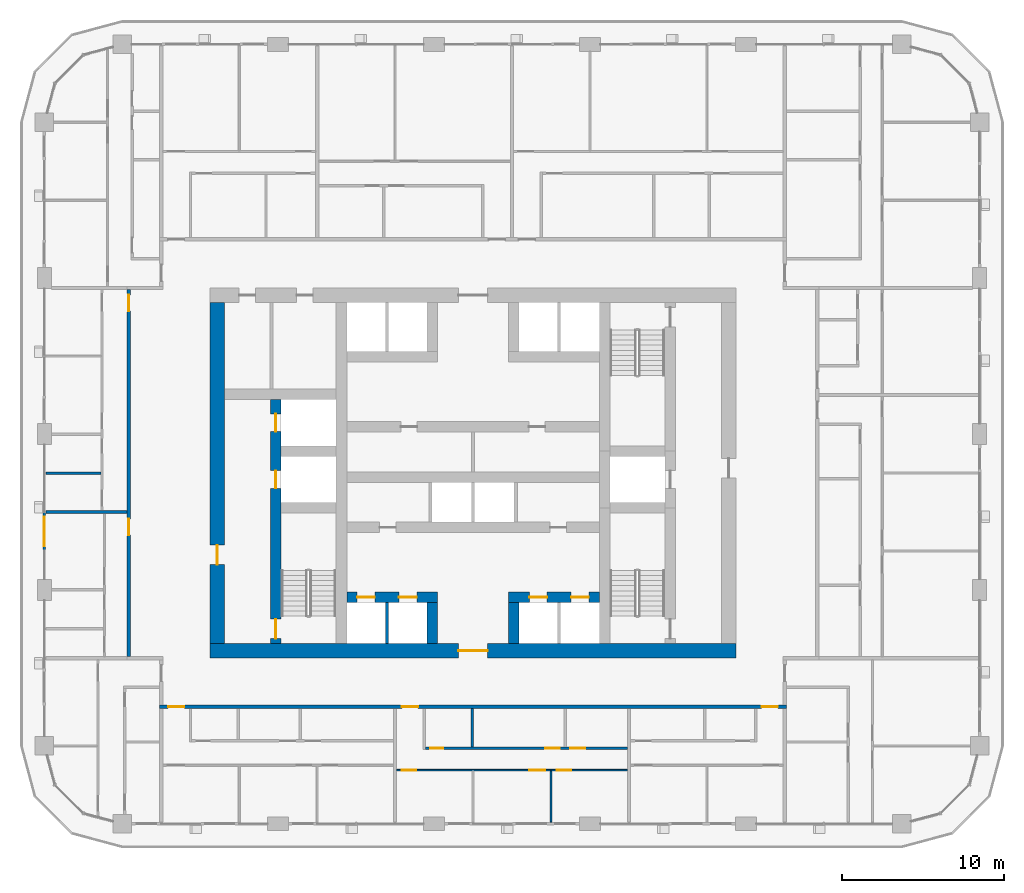
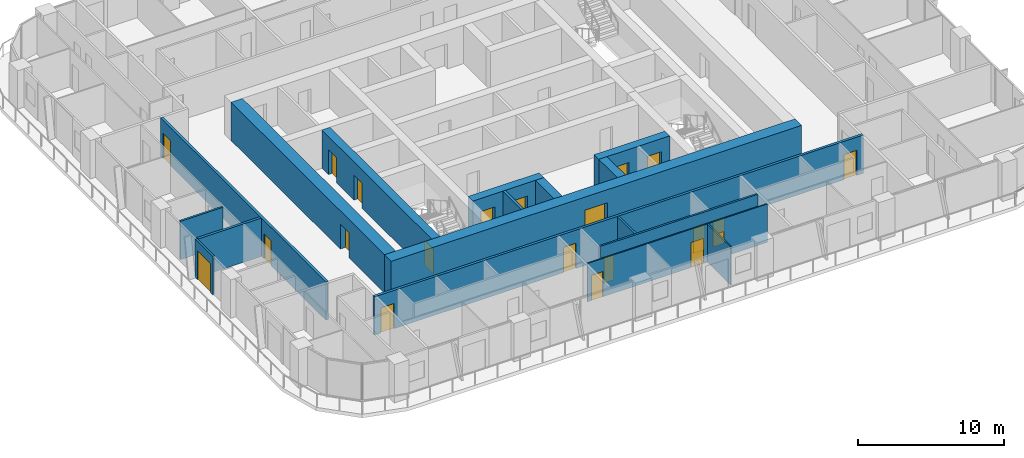
# One storey, part 10 of 21: 21 doors, 17 walls, 21 openings.
"""IFC4 building model written with IfcOpenShell, lengths in metres."""

import ifcopenshell
import ifcopenshell.guid

model = None  # the IFC model being written
_history = None  # IfcOwnerHistory: only IFC2X3 demands one
_inside = {}  # id of a spatial element -> (the spatial element, [elements in it])
_under = {}  # id of a project, library or spatial element -> (it, [spatial elements below it])
_declared = {}  # id of a project -> (the project, [libraries it declares])
_typed = {}  # id of a type object -> (the type object, [elements of that type])
_made_of = {}  # id of a material, layer set ... -> (it, [elements and type objects made of it])


def new_model(schema):
    """Start an empty IFC model of exactly this schema.

    Asked for "IFC4X3", IfcOpenShell would pick the latest addendum, in which some entities
    have other attributes; the version numbers below select the first issue.
    IFC2X3 requires an IfcOwnerHistory on every rooted entity: one is made here for all.
    """
    global model, _history
    if schema == "IFC4X3":
        model = ifcopenshell.file(schema_version=(4, 3, 0, 0))
    else:
        model = ifcopenshell.file(schema=schema)
    _inside.clear()
    _under.clear()
    _declared.clear()
    _typed.clear()
    _made_of.clear()
    _history = None
    if model.schema == "IFC2X3":
        org = make("IfcOrganization", Name="unknown")
        user = make(
            "IfcPersonAndOrganization",
            ThePerson=make("IfcPerson", FamilyName="unknown"),
            TheOrganization=org,
        )
        app = make(
            "IfcApplication",
            ApplicationDeveloper=org,
            Version="unknown",
            ApplicationFullName="unknown",
            ApplicationIdentifier="unknown",
        )
        _history = make(
            "IfcOwnerHistory",
            OwningUser=user,
            OwningApplication=app,
            ChangeAction="ADDED",
            CreationDate=0,
        )
    return model


def make(cls, **values):
    """One entity of the class cls with the attributes given. An attribute that is None is left unset."""
    return model.create_entity(
        cls, **{name: value for name, value in values.items() if value is not None}
    )


def rooted(cls, **values):
    """An entity with a GlobalId (a new one), such as an element, a storey or a relation."""
    return make(cls, GlobalId=ifcopenshell.guid.new(), OwnerHistory=_history, **values)


def si_unit(unit_type, name, prefix=None):
    """IfcSIUnit, for example si_unit("LENGTHUNIT", "METRE", prefix="MILLI")."""
    return make("IfcSIUnit", UnitType=unit_type, Prefix=prefix, Name=name)


def assignment(units):
    """IfcUnitAssignment: the units of a project."""
    return None if units is None else make("IfcUnitAssignment", Units=units)


def point(xyz):
    """IfcCartesianPoint."""
    return None if xyz is None else make("IfcCartesianPoint", Coordinates=xyz)


def direction(xyz):
    """IfcDirection."""
    return None if xyz is None else make("IfcDirection", DirectionRatios=xyz)


def frame(location, z_axis=None, x_axis=None):
    """IfcAxis2Placement3D, a coordinate frame: its origin and axes. An axis left out is left unset."""
    return make(
        "IfcAxis2Placement3D",
        Location=point(location),
        Axis=direction(z_axis),
        RefDirection=direction(x_axis),
    )


def frame_2d(location, x_axis=None):
    """IfcAxis2Placement2D, a coordinate frame in the plane: its origin and x axis."""
    return make(
        "IfcAxis2Placement2D", Location=point(location), RefDirection=direction(x_axis)
    )


def origin():
    """The frame at (0, 0, 0) with its axes left unset."""
    return frame((0.0, 0.0, 0.0))


def place(relative_to, where):
    """IfcLocalPlacement: puts the frame where relative to a parent placement (None: the world)."""
    return make(
        "IfcLocalPlacement", PlacementRelTo=relative_to, RelativePlacement=where
    )


def context(
    kind, dimensions, precision=None, world=None, true_north=None, identifier=None
):
    """IfcGeometricRepresentationContext, for example the 3D "Model" context."""
    return make(
        "IfcGeometricRepresentationContext",
        ContextIdentifier=identifier,
        ContextType=kind,
        CoordinateSpaceDimension=dimensions,
        Precision=precision,
        WorldCoordinateSystem=world,
        TrueNorth=true_north,
    )


def subcontext(parent, identifier, kind, view, scale=None):
    """IfcGeometricRepresentationSubContext, for example "Body" below "Model"."""
    return make(
        "IfcGeometricRepresentationSubContext",
        ContextIdentifier=identifier,
        ContextType=kind,
        ParentContext=parent,
        TargetScale=scale,
        TargetView=view,
    )


def project(units=None, contexts=None):
    """IfcProject with its units and contexts."""
    return rooted(
        "IfcProject",
        Name="project",
        RepresentationContexts=contexts,
        UnitsInContext=assignment(units),
    )


def spatial(cls, under=None, at=None, **own):
    """A site, building, storey or space (cls), placed at a placement, below another one or the project."""
    s = rooted(cls, ObjectPlacement=at, **own)
    if under is not None:
        _under.setdefault(under.id(), (under, []))[1].append(s)
    return s


def profile(cls, at=None, kind="AREA", **sizes):
    """A parametric profile (cls). Its sizes go by their IFC names, for example OverallWidth=200.0."""
    return make(cls, ProfileType=kind, Position=at, **sizes)


def rectangle(**sizes):
    """IfcRectangleProfileDef."""
    return profile("IfcRectangleProfileDef", **sizes)


def extrude(swept, where, along, depth):
    """IfcExtrudedAreaSolid: the profile swept, set in the frame where, extruded along a direction by depth."""
    return make(
        "IfcExtrudedAreaSolid",
        SweptArea=swept,
        Position=where,
        ExtrudedDirection=direction(along),
        Depth=depth,
    )


def shape(context_of_items, identifier, shape_type, items):
    """IfcShapeRepresentation: the items that make up one representation, for example the "Body"."""
    return make(
        "IfcShapeRepresentation",
        ContextOfItems=context_of_items,
        RepresentationIdentifier=identifier,
        RepresentationType=shape_type,
        Items=items,
    )


def material(Name=None, Category=None):
    """IfcMaterial."""
    return make("IfcMaterial", Name=Name, Category=Category)


def layer(
    of_material, thickness, ventilated=None, Name=None, Category=None, Priority=None
):
    """IfcMaterialLayer: one layer of a wall or slab, of a material (None: an air gap)."""
    return make(
        "IfcMaterialLayer",
        Material=of_material,
        LayerThickness=thickness,
        IsVentilated=ventilated,
        Name=Name,
        Category=Category,
        Priority=Priority,
    )


def layer_set(layers, Name=None):
    """IfcMaterialLayerSet."""
    return make("IfcMaterialLayerSet", MaterialLayers=layers, LayerSetName=Name)


def made_of(thing, what):
    """Note that an element or type object is made of a material, layer set ...; save() writes the relation."""
    if what is not None:
        _made_of.setdefault(what.id(), (what, []))[1].append(thing)
    return thing


def type_object(cls, material=None, **own):
    """A type object (cls), such as IfcWallType, which elements share."""
    return made_of(rooted(cls, **own), material)


def element(
    cls,
    number,
    at=None,
    inside=None,
    cuts=None,
    type_object=None,
    material=None,
    context=None,
    identifier="Body",
    shape_type=None,
    held_by="IfcProductDefinitionShape",
    body=None,
    shapes=None,
    **own,
):
    """One element of the class cls, such as IfcWall. Its Tag is "e" and its number.

    at: its placement. inside: the storey or other place that contains it. cuts: it is an
    opening in that element (IfcRelVoidsElement). A single representation is given by context,
    identifier, shape_type and body (its items); several are given by shapes. held_by: the class
    of the entity that holds the representations. save() writes the other relations.
    """
    e = rooted(cls, Tag="e%d" % number, ObjectPlacement=at, **own)
    if body is not None:
        shapes = [shape(context, identifier, shape_type, body)]
    if shapes is not None:
        e.Representation = make(held_by, Representations=shapes)
    if inside is not None:
        _inside.setdefault(inside.id(), (inside, []))[1].append(e)
    if cuts is not None:
        rooted(
            "IfcRelVoidsElement", RelatingBuildingElement=cuts, RelatedOpeningElement=e
        )
    if type_object is not None:
        _typed.setdefault(type_object.id(), (type_object, []))[1].append(e)
    return made_of(e, material)


def fill(opening, filler):
    """IfcRelFillsElement: the door or window that sits in an opening."""
    return rooted(
        "IfcRelFillsElement",
        RelatingOpeningElement=opening,
        RelatedBuildingElement=filler,
    )


def aggregate(whole, parts):
    """IfcRelAggregates: a whole, such as a stair, and the parts it consists of."""
    return rooted("IfcRelAggregates", RelatingObject=whole, RelatedObjects=parts)


def save(model, path):
    """Write the relations noted so far, then the file.

    IfcRelAggregates (storeys below a building ...), IfcRelContainedInSpatialStructure (elements
    in a storey), IfcRelDefinesByType, IfcRelAssociatesMaterial and IfcRelDeclares: one each for
    every whole, place, type object, material and project.
    """
    for whole, parts in _under.values():
        aggregate(whole, parts)
    for where, things in _inside.values():
        rooted(
            "IfcRelContainedInSpatialStructure",
            RelatedElements=things,
            RelatingStructure=where,
        )
    for kind, things in _typed.values():
        rooted("IfcRelDefinesByType", RelatedObjects=things, RelatingType=kind)
    for what, things in _made_of.values():
        rooted("IfcRelAssociatesMaterial", RelatedObjects=things, RelatingMaterial=what)
    for by, libraries in _declared.values():
        rooted("IfcRelDeclares", RelatingContext=by, RelatedDefinitions=libraries)
    model.write(path)


model = new_model("IFC4")

# Units and contexts
model_context = context("Model", 3, precision=1e-05, world=origin(), true_north=direction((0.0, 1.0)))
body_context = subcontext(model_context, "Body", "Model", "MODEL_VIEW")
ifc_project = project(units=[si_unit("LENGTHUNIT", "METRE"), si_unit("AREAUNIT", "SQUARE_METRE"), si_unit("VOLUMEUNIT", "CUBIC_METRE"), si_unit("PLANEANGLEUNIT", "RADIAN"), si_unit("MASSUNIT", "GRAM", prefix="KILO")], contexts=[model_context])

# Site, building, storey
site_placement = place(None, origin())
site = spatial("IfcSite", under=ifc_project, at=site_placement, CompositionType="ELEMENT")
building_placement = place(site_placement, origin())
building = spatial("IfcBuilding", under=site, at=building_placement, Name="Madar Terraces", CompositionType="ELEMENT")
storey_placement = place(building_placement, frame((0.0, 0.0, 106.699951171875)))
storey = spatial("IfcBuildingStorey", under=building, at=storey_placement, Name="L27", CompositionType="ELEMENT", Elevation=106.699951171875)

# Wall, openings, doors
ifc_material_1 = material(Name="Concrete C80/95", Category="concrete")
ifc_layer_1 = layer(ifc_material_1, 0.64990234375)
ifc_layer_set_1 = layer_set([ifc_layer_1], Name="Concrete C80/95 (CIW2 RC wall 650)")
wall_type_1 = type_object("IfcWallType", Name="CIW2 RC wall 650", PredefinedType="SHEAR", material=ifc_layer_set_1)
wall_1_placement = place(storey_placement, frame((19.050048828125, 15.89990234375, 0.0), z_axis=(0.0, 0.0, 1.0), x_axis=(0.0, 1.0, 0.0)))
wall_1 = element("IfcWall", 1, at=wall_1_placement, inside=storey, type_object=wall_type_1, Name="CORE SHAFT WALL", PredefinedType="SHEAR", context=body_context, shape_type="SweptSolid", body=[
    extrude(rectangle(XDim=15.025146484375, YDim=0.64990234375, at=frame_2d((7.5126953125, 0.0))), origin(), (0.0, 0.0, 1.0), 3.199951171875),
])
opening_1_placement = place(wall_1_placement, frame((9.550048828125, 0.0, 0.0)))
opening_1 = element("IfcOpeningElement", 2, at=opening_1_placement, cuts=wall_1, Name="Opening LD", PredefinedType="OPENING", context=body_context, shape_type="SweptSolid", body=[
    extrude(rectangle(XDim=1.10009765625, YDim=2.10009765625, at=frame_2d((0.550048828125, 1.050048828125))), frame((0.0, 0.3349609375, 0.0), z_axis=(0.0, -1.0, 0.0), x_axis=(1.0, 0.0, 0.0)), (0.0, 0.0, 1.0), 0.669921875),
])
opening_2_placement = place(wall_1_placement, frame((13.050048828125, 0.0, 0.0)))
opening_2 = element("IfcOpeningElement", 3, at=opening_2_placement, cuts=wall_1, Name="Opening LD", PredefinedType="OPENING", context=body_context, shape_type="SweptSolid", body=[
    extrude(rectangle(XDim=1.10009765625, YDim=2.10009765625, at=frame_2d((0.550048828125, 1.050048828125))), frame((0.0, 0.3349609375, 0.0), z_axis=(0.0, -1.0, 0.0), x_axis=(1.0, 0.0, 0.0)), (0.0, 0.0, 1.0), 0.669921875),
])
opening_3_placement = place(wall_1_placement, frame((0.300048828125, 0.0, 0.0)))
opening_3 = element("IfcOpeningElement", 4, at=opening_3_placement, cuts=wall_1, Name="Opening SD1", PredefinedType="OPENING", context=body_context, shape_type="SweptSolid", body=[
    extrude(rectangle(XDim=1.199951171875, YDim=2.10009765625, at=frame_2d((0.60009765625, 1.050048828125))), frame((0.0, 0.3349609375, 0.0), z_axis=(0.0, -1.0, 0.0), x_axis=(1.0, 0.0, 0.0)), (0.0, 0.0, 1.0), 0.669921875),
])
ifc_material_2 = material(Name="Stainless steel panel", Category="steel")
door_type_1 = type_object("IfcDoorType", Name="Lift landing door 1100 x 2100", OperationType="DOUBLE_DOOR_SLIDING", PredefinedType="DOOR", material=ifc_material_2)
door_1_placement = place(opening_1_placement, origin())
door_1 = element("IfcDoor", 5, at=door_1_placement, inside=storey, type_object=door_type_1, Name="LIFT LANDING DOOR", OperationType="DOUBLE_DOOR_SLIDING", OverallHeight=2.10009765625, OverallWidth=1.10009765625, PredefinedType="DOOR", context=body_context, shape_type="SweptSolid", body=[
    extrude(rectangle(XDim=1.10009765625, YDim=2.10009765625, at=frame_2d((0.550048828125, 1.050048828125))), frame((0.0, 0.02490234375, 0.0), z_axis=(0.0, -1.0, 0.0), x_axis=(1.0, 0.0, 0.0)), (0.0, 0.0, 1.0), 0.050048828125),
])
fill(opening_1, door_1)
door_2_placement = place(opening_2_placement, origin())
door_2 = element("IfcDoor", 6, at=door_2_placement, inside=storey, type_object=door_type_1, Name="LIFT LANDING DOOR", OperationType="DOUBLE_DOOR_SLIDING", OverallHeight=2.10009765625, OverallWidth=1.10009765625, PredefinedType="DOOR", context=body_context, shape_type="SweptSolid", body=[
    extrude(rectangle(XDim=1.10009765625, YDim=2.10009765625, at=frame_2d((0.550048828125, 1.050048828125))), frame((0.0, 0.02490234375, 0.0), z_axis=(0.0, -1.0, 0.0), x_axis=(1.0, 0.0, 0.0)), (0.0, 0.0, 1.0), 0.050048828125),
])
fill(opening_2, door_2)
ifc_material_3 = material(Name="Steel door leaf", Category="steel")
door_type_2 = type_object("IfcDoorType", Name="Stair door 1200 x 2100", OperationType="NOTDEFINED", PredefinedType="DOOR", material=ifc_material_3)
door_3_placement = place(opening_3_placement, frame((1.199951171875, 0.0, 0.0), z_axis=(0.0, 0.0, 1.0), x_axis=(-1.0, 0.0, 0.0)))
door_3 = element("IfcDoor", 7, at=door_3_placement, inside=storey, type_object=door_type_2, Name="STAIR DOOR", OperationType="SINGLE_SWING_LEFT", OverallHeight=2.10009765625, OverallWidth=1.199951171875, PredefinedType="DOOR", context=body_context, shape_type="SweptSolid", body=[
    extrude(rectangle(XDim=1.199951171875, YDim=2.10009765625, at=frame_2d((0.60009765625, 1.050048828125))), frame((0.0, 0.02490234375, 0.0), z_axis=(0.0, -1.0, 0.0), x_axis=(1.0, 0.0, 0.0)), (0.0, 0.0, 1.0), 0.050048828125),
])
fill(opening_3, door_3)

wall_2_placement = place(storey_placement, frame((23.425048828125, 18.75, 0.0), z_axis=(0.0, 0.0, 1.0), x_axis=(1.0, 0.0, 0.0)))
wall_2 = element("IfcWall", 8, at=wall_2_placement, inside=storey, type_object=wall_type_1, Name="CORE SHAFT WALL", PredefinedType="SHEAR", context=body_context, shape_type="SweptSolid", body=[
    extrude(rectangle(XDim=5.599853515625, YDim=0.64990234375, at=frame_2d((2.7998046875, 0.0))), origin(), (0.0, 0.0, 1.0), 3.199951171875),
])
opening_4_placement = place(wall_2_placement, frame((0.637451171875, 0.0, 0.0)))
opening_4 = element("IfcOpeningElement", 9, at=opening_4_placement, cuts=wall_2, Name="Opening LD", PredefinedType="OPENING", context=body_context, shape_type="SweptSolid", body=[
    extrude(rectangle(XDim=1.10009765625, YDim=2.10009765625, at=frame_2d((0.550048828125, 1.050048828125))), frame((0.0, 0.3349609375, 0.0), z_axis=(0.0, -1.0, 0.0), x_axis=(1.0, 0.0, 0.0)), (0.0, 0.0, 1.0), 0.669921875),
])
opening_5_placement = place(wall_2_placement, frame((3.21240234375, 0.0, 0.0)))
opening_5 = element("IfcOpeningElement", 10, at=opening_5_placement, cuts=wall_2, Name="Opening LD", PredefinedType="OPENING", context=body_context, shape_type="SweptSolid", body=[
    extrude(rectangle(XDim=1.10009765625, YDim=2.10009765625, at=frame_2d((0.550048828125, 1.050048828125))), frame((0.0, 0.3349609375, 0.0), z_axis=(0.0, -1.0, 0.0), x_axis=(1.0, 0.0, 0.0)), (0.0, 0.0, 1.0), 0.669921875),
])
door_4_placement = place(opening_4_placement, origin())
door_4 = element("IfcDoor", 11, at=door_4_placement, inside=storey, type_object=door_type_1, Name="LIFT LANDING DOOR", OperationType="DOUBLE_DOOR_SLIDING", OverallHeight=2.10009765625, OverallWidth=1.10009765625, PredefinedType="DOOR", context=body_context, shape_type="SweptSolid", body=[
    extrude(rectangle(XDim=1.10009765625, YDim=2.10009765625, at=frame_2d((0.550048828125, 1.050048828125))), frame((0.0, 0.02490234375, 0.0), z_axis=(0.0, -1.0, 0.0), x_axis=(1.0, 0.0, 0.0)), (0.0, 0.0, 1.0), 0.050048828125),
])
fill(opening_4, door_4)
door_5_placement = place(opening_5_placement, origin())
door_5 = element("IfcDoor", 12, at=door_5_placement, inside=storey, type_object=door_type_1, Name="LIFT LANDING DOOR", OperationType="DOUBLE_DOOR_SLIDING", OverallHeight=2.10009765625, OverallWidth=1.10009765625, PredefinedType="DOOR", context=body_context, shape_type="SweptSolid", body=[
    extrude(rectangle(XDim=1.10009765625, YDim=2.10009765625, at=frame_2d((0.550048828125, 1.050048828125))), frame((0.0, 0.02490234375, 0.0), z_axis=(0.0, -1.0, 0.0), x_axis=(1.0, 0.0, 0.0)), (0.0, 0.0, 1.0), 0.050048828125),
])
fill(opening_5, door_5)

wall_3_placement = place(storey_placement, frame((33.375, 18.75, 0.0), z_axis=(0.0, 0.0, 1.0), x_axis=(1.0, 0.0, 0.0)))
wall_3 = element("IfcWall", 13, at=wall_3_placement, inside=storey, type_object=wall_type_1, Name="CORE SHAFT WALL", PredefinedType="SHEAR", context=body_context, shape_type="SweptSolid", body=[
    extrude(rectangle(XDim=5.60009765625, YDim=0.64990234375, at=frame_2d((2.800048828125, 0.0))), origin(), (0.0, 0.0, 1.0), 3.199951171875),
])
opening_6_placement = place(wall_3_placement, frame((1.28759765625, 0.0, 0.0)))
opening_6 = element("IfcOpeningElement", 14, at=opening_6_placement, cuts=wall_3, Name="Opening LD", PredefinedType="OPENING", context=body_context, shape_type="SweptSolid", body=[
    extrude(rectangle(XDim=1.10009765625, YDim=2.10009765625, at=frame_2d((0.550048828125, 1.050048828125))), frame((0.0, 0.3349609375, 0.0), z_axis=(0.0, -1.0, 0.0), x_axis=(1.0, 0.0, 0.0)), (0.0, 0.0, 1.0), 0.669921875),
])
opening_7_placement = place(wall_3_placement, frame((3.862548828125, 0.0, 0.0)))
opening_7 = element("IfcOpeningElement", 15, at=opening_7_placement, cuts=wall_3, Name="Opening LD", PredefinedType="OPENING", context=body_context, shape_type="SweptSolid", body=[
    extrude(rectangle(XDim=1.10009765625, YDim=2.10009765625, at=frame_2d((0.550048828125, 1.050048828125))), frame((0.0, 0.3349609375, 0.0), z_axis=(0.0, -1.0, 0.0), x_axis=(1.0, 0.0, 0.0)), (0.0, 0.0, 1.0), 0.669921875),
])
door_6_placement = place(opening_6_placement, origin())
door_6 = element("IfcDoor", 16, at=door_6_placement, inside=storey, type_object=door_type_1, Name="LIFT LANDING DOOR", OperationType="DOUBLE_DOOR_SLIDING", OverallHeight=2.10009765625, OverallWidth=1.10009765625, PredefinedType="DOOR", context=body_context, shape_type="SweptSolid", body=[
    extrude(rectangle(XDim=1.10009765625, YDim=2.10009765625, at=frame_2d((0.550048828125, 1.050048828125))), frame((0.0, 0.02490234375, 0.0), z_axis=(0.0, -1.0, 0.0), x_axis=(1.0, 0.0, 0.0)), (0.0, 0.0, 1.0), 0.050048828125),
])
fill(opening_6, door_6)
door_7_placement = place(opening_7_placement, origin())
door_7 = element("IfcDoor", 17, at=door_7_placement, inside=storey, type_object=door_type_1, Name="LIFT LANDING DOOR", OperationType="DOUBLE_DOOR_SLIDING", OverallHeight=2.10009765625, OverallWidth=1.10009765625, PredefinedType="DOOR", context=body_context, shape_type="SweptSolid", body=[
    extrude(rectangle(XDim=1.10009765625, YDim=2.10009765625, at=frame_2d((0.550048828125, 1.050048828125))), frame((0.0, 0.02490234375, 0.0), z_axis=(0.0, -1.0, 0.0), x_axis=(1.0, 0.0, 0.0)), (0.0, 0.0, 1.0), 0.050048828125),
])
fill(opening_7, door_7)

# Walls
for number, where, z_axis, x_axis, name in (
    (18, (28.699951171875, 15.89990234375, 0.0), (0.0, 0.0, 1.0), (0.0, 1.0, 0.0), "CORE SHAFT WALL"),
    (19, (33.699951171875, 15.89990234375, 0.0), (0.0, 0.0, 1.0), (0.0, 1.0, 0.0), "CORE SHAFT WALL"),
):
    element("IfcWall", number, at=place(storey_placement, frame(where, z_axis=z_axis, x_axis=x_axis)), inside=storey, type_object=wall_type_1, Name=name, PredefinedType="SHEAR", context=body_context, shape_type="SweptSolid", body=[
        extrude(rectangle(XDim=2.525146484375, YDim=0.64990234375, at=frame_2d((1.2626953125, 0.0))), origin(), (0.0, 0.0, 1.0), 3.199951171875),
    ])

# Wall, opening, door
ifc_material_4 = material(Name="Concrete C80/95", Category="concrete")
ifc_layer_2 = layer(ifc_material_4, 0.89990234375)
ifc_layer_set_2 = layer_set([ifc_layer_2], Name="Concrete C80/95 (CRW2 RC wall 900)")
wall_type_2 = type_object("IfcWallType", Name="CRW2 RC wall 900", PredefinedType="SHEAR", material=ifc_layer_set_2)
wall_4_placement = place(storey_placement, frame((15.0, 15.449951171875, 0.0), z_axis=(0.0, 0.0, 1.0), x_axis=(1.0, 0.0, 0.0)))
wall_4 = element("IfcWall", 20, at=wall_4_placement, inside=storey, type_object=wall_type_2, Name="CORE OUTER WALL", PredefinedType="SHEAR", context=body_context, shape_type="SweptSolid", body=[
    extrude(rectangle(XDim=32.39990234375, YDim=0.89990234375, at=frame_2d((16.199951171875, 0.0))), origin(), (0.0, 0.0, 1.0), 3.199951171875),
])
opening_8_placement = place(wall_4_placement, frame((15.300048828125, 0.0, 0.0)))
opening_8 = element("IfcOpeningElement", 21, at=opening_8_placement, cuts=wall_4, Name="Opening KD1", PredefinedType="OPENING", context=body_context, shape_type="SweptSolid", body=[
    extrude(rectangle(XDim=1.800048828125, YDim=2.10009765625, at=frame_2d((0.89990234375, 1.050048828125))), frame((0.0, 0.4599609375, 0.0), z_axis=(0.0, -1.0, 0.0), x_axis=(1.0, 0.0, 0.0)), (0.0, 0.0, 1.0), 0.919921875),
])
ifc_material_5 = material(Name="Steel door leaf", Category="steel")
door_type_3 = type_object("IfcDoorType", Name="Lobby door pair 1800 x 2100", OperationType="DOUBLE_DOOR_SINGLE_SWING", PredefinedType="DOOR", material=ifc_material_5)
door_8_placement = place(opening_8_placement, frame((1.800048828125, 0.0, 0.0), z_axis=(0.0, 0.0, 1.0), x_axis=(-1.0, 0.0, 0.0)))
door_8 = element("IfcDoor", 22, at=door_8_placement, inside=storey, type_object=door_type_3, Name="LIFT LOBBY DOOR", OperationType="DOUBLE_DOOR_SINGLE_SWING", OverallHeight=2.10009765625, OverallWidth=1.800048828125, PredefinedType="DOOR", context=body_context, shape_type="SweptSolid", body=[
    extrude(rectangle(XDim=1.800048828125, YDim=2.10009765625, at=frame_2d((0.89990234375, 1.050048828125))), frame((0.0, 0.02490234375, 0.0), z_axis=(0.0, -1.0, 0.0), x_axis=(1.0, 0.0, 0.0)), (0.0, 0.0, 1.0), 0.050048828125),
])
fill(opening_8, door_8)

wall_5_placement = place(storey_placement, frame((15.449951171875, 15.89990234375, 0.0), z_axis=(0.0, 0.0, 1.0), x_axis=(0.0, 1.0, 0.0)))
wall_5 = element("IfcWall", 23, at=wall_5_placement, inside=storey, type_object=wall_type_2, Name="CORE OUTER WALL", PredefinedType="SHEAR", context=body_context, shape_type="SweptSolid", body=[
    extrude(rectangle(XDim=21.0, YDim=0.89990234375, at=frame_2d((10.5, 0.0))), origin(), (0.0, 0.0, 1.0), 3.199951171875),
])
opening_9_placement = place(wall_5_placement, frame((4.860107421875, 0.0, 0.0)))
opening_9 = element("IfcOpeningElement", 24, at=opening_9_placement, cuts=wall_5, Name="Opening SD1", PredefinedType="OPENING", context=body_context, shape_type="SweptSolid", body=[
    extrude(rectangle(XDim=1.199951171875, YDim=2.10009765625, at=frame_2d((0.60009765625, 1.050048828125))), frame((0.0, 0.4599609375, 0.0), z_axis=(0.0, -1.0, 0.0), x_axis=(1.0, 0.0, 0.0)), (0.0, 0.0, 1.0), 0.919921875),
])
door_9_placement = place(opening_9_placement, frame((1.199951171875, 0.0, 0.0), z_axis=(0.0, 0.0, 1.0), x_axis=(-1.0, 0.0, 0.0)))
door_9 = element("IfcDoor", 25, at=door_9_placement, inside=storey, type_object=door_type_2, Name="STAIR DOOR", OperationType="SINGLE_SWING_RIGHT", OverallHeight=2.10009765625, OverallWidth=1.199951171875, PredefinedType="DOOR", context=body_context, shape_type="SweptSolid", body=[
    extrude(rectangle(XDim=1.199951171875, YDim=2.10009765625, at=frame_2d((0.60009765625, 1.050048828125))), frame((0.0, 0.02490234375, 0.0), z_axis=(0.0, -1.0, 0.0), x_axis=(1.0, 0.0, 0.0)), (0.0, 0.0, 1.0), 0.050048828125),
])
fill(opening_9, door_9)

# Wall
ifc_material_6 = material(Name="Concrete C40/50", Category="concrete")
ifc_layer_3 = layer(ifc_material_6, 0.199951171875)
ifc_layer_set_3 = layer_set([ifc_layer_3], Name="Core shaft dividing wall 200 C40/50")
wall_type_3 = type_object("IfcWallType", Name="Core shaft dividing wall 200 C40/50", PredefinedType="SOLIDWALL", material=ifc_layer_set_3)
wall_6_placement = place(storey_placement, frame((25.89990234375, 15.89990234375, 0.0), z_axis=(0.0, 0.0, 1.0), x_axis=(0.0, 1.0, 0.0)))
element("IfcWall", 26, at=wall_6_placement, inside=storey, type_object=wall_type_3, Name="SHAFT DIVIDING WALL", PredefinedType="SOLIDWALL", context=body_context, shape_type="SweptSolid", body=[
    extrude(rectangle(XDim=2.525146484375, YDim=0.199951171875, at=frame_2d((1.2626953125, 0.0))), origin(), (0.0, 0.0, 1.0), 3.199951171875),
])

# Wall, opening, door
ifc_material_7 = material(Name="Aluminium composite panel, black, over insulated backing", Category="aluminium")
ifc_layer_4 = layer(ifc_material_7, 0.14990234375)
ifc_layer_set_4 = layer_set([ifc_layer_4], Name="Facade bay panel 150")
wall_type_4 = type_object("IfcWallType", Name="Facade bay panel 150", PredefinedType="SOLIDWALL", material=ifc_layer_set_4)
wall_7_placement = place(storey_placement, frame((4.800048828125, 24.0, 0.0), z_axis=(0.0, 0.0, 1.0), x_axis=(0.0, -1.0, 0.0)))
wall_7 = element("IfcWall", 27, at=wall_7_placement, inside=storey, type_object=wall_type_4, Name="Facade bay panel", PredefinedType="SOLIDWALL", context=body_context, shape_type="SweptSolid", body=[
    extrude(rectangle(XDim=2.39990234375, YDim=0.14990234375, at=frame_2d((1.199951171875, 0.0))), origin(), (0.0, 0.0, 1.0), 3.199951171875),
])
opening_10_placement = place(wall_7_placement, frame((0.300048828125, 0.0, 0.0)))
opening_10 = element("IfcOpeningElement", 28, at=opening_10_placement, cuts=wall_7, Name="Opening ED1", PredefinedType="OPENING", context=body_context, shape_type="SweptSolid", body=[
    extrude(rectangle(XDim=1.800048828125, YDim=2.39990234375, at=frame_2d((0.89990234375, 1.199951171875))), frame((0.0, 0.0849609375, 0.0), z_axis=(0.0, -1.0, 0.0), x_axis=(1.0, 0.0, 0.0)), (0.0, 0.0, 1.0), 0.169921875),
])
ifc_material_8 = material(Name="Glass, clear, with black aluminium frame", Category="aluminium")
door_type_4 = type_object("IfcDoorType", Name="Balcony and terrace sliding door 1800 x 2400", OperationType="SLIDING_TO_LEFT", PredefinedType="DOOR", material=ifc_material_8)
door_10_placement = place(opening_10_placement, origin())
door_10 = element("IfcDoor", 29, at=door_10_placement, inside=storey, type_object=door_type_4, Name="Balcony door", OperationType="SLIDING_TO_LEFT", OverallHeight=2.39990234375, OverallWidth=1.800048828125, PredefinedType="DOOR", context=body_context, shape_type="SweptSolid", body=[
    extrude(rectangle(XDim=1.800048828125, YDim=2.39990234375, at=frame_2d((0.89990234375, 1.199951171875))), frame((0.0, 0.02490234375, 0.0), z_axis=(0.0, -1.0, 0.0), x_axis=(1.0, 0.0, 0.0)), (0.0, 0.0, 1.0), 0.050048828125),
])
fill(opening_10, door_10)

# Wall
ifc_material_9 = material(Name="Gypsum board on steel studs", Category="steel")
ifc_layer_5 = layer(ifc_material_9, 0.10009765625)
ifc_layer_set_5 = layer_set([ifc_layer_5], Name="Flat partition 100")
wall_type_5 = type_object("IfcWallType", Name="Flat partition 100", PredefinedType="PARTITIONING", material=ifc_layer_set_5)
wall_8_placement = place(storey_placement, frame((36.0, 8.050048828125, 0.0), z_axis=(0.0, 0.0, 1.0), x_axis=(0.0, -1.0, 0.0)))
element("IfcWall", 30, at=wall_8_placement, inside=storey, type_object=wall_type_5, Name="Flat partition 100", PredefinedType="PARTITIONING", context=body_context, shape_type="SweptSolid", body=[
    extrude(rectangle(XDim=3.150146484375, YDim=0.10009765625, at=frame_2d((1.5751953125, 0.0))), origin(), (0.0, 0.0, 1.0), 3.199951171875),
])

# Wall, openings, doors
wall_9_placement = place(storey_placement, frame((40.699951171875, 8.10009765625, 0.0), z_axis=(0.0, 0.0, 1.0), x_axis=(-1.0, 0.0, 0.0)))
wall_9 = element("IfcWall", 31, at=wall_9_placement, inside=storey, type_object=wall_type_5, Name="Flat partition 100", PredefinedType="PARTITIONING", context=body_context, shape_type="SweptSolid", body=[
    extrude(rectangle(XDim=14.199951171875, YDim=0.10009765625, at=frame_2d((7.10009765625, 0.0))), origin(), (0.0, 0.0, 1.0), 3.199951171875),
])
opening_11_placement = place(wall_9_placement, frame((13.0, 0.0, 0.0)))
opening_11 = element("IfcOpeningElement", 32, at=opening_11_placement, cuts=wall_9, Name="Opening D2", PredefinedType="OPENING", context=body_context, shape_type="SweptSolid", body=[
    extrude(rectangle(XDim=0.89990234375, YDim=2.10009765625, at=frame_2d((0.449951171875, 1.050048828125))), frame((0.0, 0.06005859375, 0.0), z_axis=(0.0, -1.0, 0.0), x_axis=(1.0, 0.0, 0.0)), (0.0, 0.0, 1.0), 0.1201171875),
])
opening_12_placement = place(wall_9_placement, frame((5.050048828125, 0.0, 0.0)))
opening_12 = element("IfcOpeningElement", 33, at=opening_12_placement, cuts=wall_9, Name="Opening D3", PredefinedType="OPENING", context=body_context, shape_type="SweptSolid", body=[
    extrude(rectangle(XDim=1.0, YDim=2.10009765625, at=frame_2d((0.5, 1.050048828125))), frame((0.0, 0.06005859375, 0.0), z_axis=(0.0, -1.0, 0.0), x_axis=(1.0, 0.0, 0.0)), (0.0, 0.0, 1.0), 0.1201171875),
])
opening_13_placement = place(wall_9_placement, frame((3.449951171875, 0.0, 0.0)))
opening_13 = element("IfcOpeningElement", 34, at=opening_13_placement, cuts=wall_9, Name="Opening D2", PredefinedType="OPENING", context=body_context, shape_type="SweptSolid", body=[
    extrude(rectangle(XDim=0.89990234375, YDim=2.10009765625, at=frame_2d((0.449951171875, 1.050048828125))), frame((0.0, 0.06005859375, 0.0), z_axis=(0.0, -1.0, 0.0), x_axis=(1.0, 0.0, 0.0)), (0.0, 0.0, 1.0), 0.1201171875),
])
ifc_material_10 = material(Name="Timber door leaf", Category="wood")
door_type_5 = type_object("IfcDoorType", Name="Flat living room door 1000", OperationType="NOTDEFINED", PredefinedType="DOOR", material=ifc_material_10)
door_11_placement = place(opening_12_placement, origin())
door_11 = element("IfcDoor", 35, at=door_11_placement, inside=storey, type_object=door_type_5, Name="Flat living room door 1000", OperationType="SINGLE_SWING_LEFT", OverallHeight=2.10009765625, OverallWidth=1.0, PredefinedType="DOOR", context=body_context, shape_type="SweptSolid", body=[
    extrude(rectangle(XDim=1.0, YDim=2.10009765625, at=frame_2d((0.5, 1.050048828125))), frame((0.0, 0.02490234375, 0.0), z_axis=(0.0, -1.0, 0.0), x_axis=(1.0, 0.0, 0.0)), (0.0, 0.0, 1.0), 0.050048828125),
])
fill(opening_12, door_11)
ifc_material_11 = material(Name="Timber door leaf", Category="wood")
door_type_6 = type_object("IfcDoorType", Name="Flat room door 900", OperationType="NOTDEFINED", PredefinedType="DOOR", material=ifc_material_11)
door_12_placement = place(opening_11_placement, origin())
door_12 = element("IfcDoor", 36, at=door_12_placement, inside=storey, type_object=door_type_6, Name="Flat room door 900", OperationType="SINGLE_SWING_RIGHT", OverallHeight=2.10009765625, OverallWidth=0.89990234375, PredefinedType="DOOR", context=body_context, shape_type="SweptSolid", body=[
    extrude(rectangle(XDim=0.89990234375, YDim=2.10009765625, at=frame_2d((0.449951171875, 1.050048828125))), frame((0.0, 0.02490234375, 0.0), z_axis=(0.0, -1.0, 0.0), x_axis=(1.0, 0.0, 0.0)), (0.0, 0.0, 1.0), 0.050048828125),
])
fill(opening_11, door_12)
door_13_placement = place(opening_13_placement, origin())
door_13 = element("IfcDoor", 37, at=door_13_placement, inside=storey, type_object=door_type_6, Name="Flat room door 900", OperationType="SINGLE_SWING_RIGHT", OverallHeight=2.10009765625, OverallWidth=0.89990234375, PredefinedType="DOOR", context=body_context, shape_type="SweptSolid", body=[
    extrude(rectangle(XDim=0.89990234375, YDim=2.10009765625, at=frame_2d((0.449951171875, 1.050048828125))), frame((0.0, 0.02490234375, 0.0), z_axis=(0.0, -1.0, 0.0), x_axis=(1.0, 0.0, 0.0)), (0.0, 0.0, 1.0), 0.050048828125),
])
fill(opening_13, door_13)

ifc_material_12 = material(Name="Lightweight blockwork", Category="masonry")
ifc_layer_6 = layer(ifc_material_12, 0.199951171875)
ifc_layer_set_6 = layer_set([ifc_layer_6], Name="Flat party and entrance wall 200")
wall_type_6 = type_object("IfcWallType", Name="Flat party and entrance wall 200", PredefinedType="PARTITIONING", material=ifc_layer_set_6)
wall_10_placement = place(storey_placement, frame((50.5, 12.0, 0.0), z_axis=(0.0, 0.0, 1.0), x_axis=(-1.0, 0.0, 0.0)))
wall_10 = element("IfcWall", 38, at=wall_10_placement, inside=storey, type_object=wall_type_6, Name="Flat party and entrance wall 200", PredefinedType="PARTITIONING", context=body_context, shape_type="SweptSolid", body=[
    extrude(rectangle(XDim=38.60009765625, YDim=0.199951171875, at=frame_2d((19.300048828125, 0.0))), origin(), (0.0, 0.0, 1.0), 3.199951171875),
])
opening_14_placement = place(wall_10_placement, frame((37.074951171875, 0.0, 0.0)))
opening_14 = element("IfcOpeningElement", 39, at=opening_14_placement, cuts=wall_10, Name="Opening D1", PredefinedType="OPENING", context=body_context, shape_type="SweptSolid", body=[
    extrude(rectangle(XDim=1.0, YDim=2.10009765625, at=frame_2d((0.5, 1.050048828125))), frame((0.0, 0.10986328125, 0.0), z_axis=(0.0, -1.0, 0.0), x_axis=(1.0, 0.0, 0.0)), (0.0, 0.0, 1.0), 0.219970703125),
])
opening_15_placement = place(wall_10_placement, frame((22.675048828125, 0.0, 0.0)))
opening_15 = element("IfcOpeningElement", 40, at=opening_15_placement, cuts=wall_10, Name="Opening D1", PredefinedType="OPENING", context=body_context, shape_type="SweptSolid", body=[
    extrude(rectangle(XDim=1.0, YDim=2.10009765625, at=frame_2d((0.5, 1.050048828125))), frame((0.0, 0.10986328125, 0.0), z_axis=(0.0, -1.0, 0.0), x_axis=(1.0, 0.0, 0.0)), (0.0, 0.0, 1.0), 0.219970703125),
])
opening_16_placement = place(wall_10_placement, frame((0.52490234375, 0.0, 0.0)))
opening_16 = element("IfcOpeningElement", 41, at=opening_16_placement, cuts=wall_10, Name="Opening D1", PredefinedType="OPENING", context=body_context, shape_type="SweptSolid", body=[
    extrude(rectangle(XDim=1.0, YDim=2.10009765625, at=frame_2d((0.5, 1.050048828125))), frame((0.0, 0.10986328125, 0.0), z_axis=(0.0, -1.0, 0.0), x_axis=(1.0, 0.0, 0.0)), (0.0, 0.0, 1.0), 0.219970703125),
])
ifc_material_13 = material(Name="Timber fire door leaf", Category="wood")
door_type_7 = type_object("IfcDoorType", Name="Flat entrance door 1000 FD30S", OperationType="NOTDEFINED", PredefinedType="DOOR", material=ifc_material_13)
door_14_placement = place(opening_14_placement, origin())
door_14 = element("IfcDoor", 42, at=door_14_placement, inside=storey, type_object=door_type_7, Name="Flat entrance door 1000 FD30S", OperationType="SINGLE_SWING_RIGHT", OverallHeight=2.10009765625, OverallWidth=1.0, PredefinedType="DOOR", context=body_context, shape_type="SweptSolid", body=[
    extrude(rectangle(XDim=1.0, YDim=2.10009765625, at=frame_2d((0.5, 1.050048828125))), frame((0.0, 0.02490234375, 0.0), z_axis=(0.0, -1.0, 0.0), x_axis=(1.0, 0.0, 0.0)), (0.0, 0.0, 1.0), 0.050048828125),
])
fill(opening_14, door_14)
door_15_placement = place(opening_15_placement, origin())
door_15 = element("IfcDoor", 43, at=door_15_placement, inside=storey, type_object=door_type_7, Name="Flat entrance door 1000 FD30S", OperationType="SINGLE_SWING_RIGHT", OverallHeight=2.10009765625, OverallWidth=1.0, PredefinedType="DOOR", context=body_context, shape_type="SweptSolid", body=[
    extrude(rectangle(XDim=1.0, YDim=2.10009765625, at=frame_2d((0.5, 1.050048828125))), frame((0.0, 0.02490234375, 0.0), z_axis=(0.0, -1.0, 0.0), x_axis=(1.0, 0.0, 0.0)), (0.0, 0.0, 1.0), 0.050048828125),
])
fill(opening_15, door_15)
door_16_placement = place(opening_16_placement, origin())
door_16 = element("IfcDoor", 44, at=door_16_placement, inside=storey, type_object=door_type_7, Name="Flat entrance door 1000 FD30S", OperationType="SINGLE_SWING_LEFT", OverallHeight=2.10009765625, OverallWidth=1.0, PredefinedType="DOOR", context=body_context, shape_type="SweptSolid", body=[
    extrude(rectangle(XDim=1.0, YDim=2.10009765625, at=frame_2d((0.5, 1.050048828125))), frame((0.0, 0.02490234375, 0.0), z_axis=(0.0, -1.0, 0.0), x_axis=(1.0, 0.0, 0.0)), (0.0, 0.0, 1.0), 0.050048828125),
])
fill(opening_16, door_16)

wall_11_placement = place(storey_placement, frame((10.0, 15.10009765625, 0.0), z_axis=(0.0, 0.0, 1.0), x_axis=(0.0, 1.0, 0.0)))
wall_11 = element("IfcWall", 45, at=wall_11_placement, inside=storey, type_object=wall_type_6, Name="Flat party and entrance wall 200", PredefinedType="PARTITIONING", context=body_context, shape_type="SweptSolid", body=[
    extrude(rectangle(XDim=22.599853515625, YDim=0.199951171875, at=frame_2d((11.2998046875, 0.0))), origin(), (0.0, 0.0, 1.0), 3.199951171875),
])
opening_17_placement = place(wall_11_placement, frame((21.27490234375, 0.0, 0.0)))
opening_17 = element("IfcOpeningElement", 46, at=opening_17_placement, cuts=wall_11, Name="Opening D1", PredefinedType="OPENING", context=body_context, shape_type="SweptSolid", body=[
    extrude(rectangle(XDim=1.0, YDim=2.10009765625, at=frame_2d((0.5, 1.050048828125))), frame((0.0, 0.10986328125, 0.0), z_axis=(0.0, -1.0, 0.0), x_axis=(1.0, 0.0, 0.0)), (0.0, 0.0, 1.0), 0.219970703125),
])
opening_18_placement = place(wall_11_placement, frame((7.47509765625, 0.0, 0.0)))
opening_18 = element("IfcOpeningElement", 47, at=opening_18_placement, cuts=wall_11, Name="Opening D1", PredefinedType="OPENING", context=body_context, shape_type="SweptSolid", body=[
    extrude(rectangle(XDim=1.0, YDim=2.10009765625, at=frame_2d((0.5, 1.050048828125))), frame((0.0, 0.10986328125, 0.0), z_axis=(0.0, -1.0, 0.0), x_axis=(1.0, 0.0, 0.0)), (0.0, 0.0, 1.0), 0.219970703125),
])
door_17_placement = place(opening_17_placement, origin())
door_17 = element("IfcDoor", 48, at=door_17_placement, inside=storey, type_object=door_type_7, Name="Flat entrance door 1000 FD30S", OperationType="SINGLE_SWING_RIGHT", OverallHeight=2.10009765625, OverallWidth=1.0, PredefinedType="DOOR", context=body_context, shape_type="SweptSolid", body=[
    extrude(rectangle(XDim=1.0, YDim=2.10009765625, at=frame_2d((0.5, 1.050048828125))), frame((0.0, 0.02490234375, 0.0), z_axis=(0.0, -1.0, 0.0), x_axis=(1.0, 0.0, 0.0)), (0.0, 0.0, 1.0), 0.050048828125),
])
fill(opening_17, door_17)
door_18_placement = place(opening_18_placement, origin())
door_18 = element("IfcDoor", 49, at=door_18_placement, inside=storey, type_object=door_type_7, Name="Flat entrance door 1000 FD30S", OperationType="SINGLE_SWING_RIGHT", OverallHeight=2.10009765625, OverallWidth=1.0, PredefinedType="DOOR", context=body_context, shape_type="SweptSolid", body=[
    extrude(rectangle(XDim=1.0, YDim=2.10009765625, at=frame_2d((0.5, 1.050048828125))), frame((0.0, 0.02490234375, 0.0), z_axis=(0.0, -1.0, 0.0), x_axis=(1.0, 0.0, 0.0)), (0.0, 0.0, 1.0), 0.050048828125),
])
fill(opening_18, door_18)

# Walls
wall_12_placement = place(storey_placement, frame((4.89990234375, 24.0, 0.0), z_axis=(0.0, 0.0, 1.0), x_axis=(1.0, 0.0, 0.0)))
element("IfcWall", 50, at=wall_12_placement, inside=storey, type_object=wall_type_6, Name="Flat party and entrance wall 200", PredefinedType="PARTITIONING", context=body_context, shape_type="SweptSolid", body=[
    extrude(rectangle(XDim=5.0, YDim=0.199951171875, at=frame_2d((2.5, 0.0))), origin(), (0.0, 0.0, 1.0), 3.199951171875),
])
ifc_material_14 = material(Name="Lightweight blockwork", Category="masonry")
ifc_layer_7 = layer(ifc_material_14, 0.14990234375)
ifc_layer_set_7 = layer_set([ifc_layer_7], Name="Flat wet-room partition 150")
wall_type_7 = type_object("IfcWallType", Name="Flat wet-room partition 150", PredefinedType="PARTITIONING", material=ifc_layer_set_7)
wall_13_placement = place(storey_placement, frame((31.142333984375, 11.89990234375, 0.0), z_axis=(0.0, 0.0, 1.0), x_axis=(0.0, -1.0, 0.0)))
element("IfcWall", 51, at=wall_13_placement, inside=storey, type_object=wall_type_7, Name="Flat wet-room partition 150", PredefinedType="PARTITIONING", context=body_context, shape_type="SweptSolid", body=[
    extrude(rectangle(XDim=2.375, YDim=0.14990234375, at=frame_2d((1.1875, 0.0))), origin(), (0.0, 0.0, 1.0), 3.199951171875),
])

# Wall, openings, doors
wall_14_placement = place(storey_placement, frame((28.27490234375, 9.449951171875, 0.0), z_axis=(0.0, 0.0, 1.0), x_axis=(1.0, 0.0, 0.0)))
wall_14 = element("IfcWall", 52, at=wall_14_placement, inside=storey, type_object=wall_type_7, Name="Flat wet-room partition 150", PredefinedType="PARTITIONING", context=body_context, shape_type="SweptSolid", body=[
    extrude(rectangle(XDim=12.425048828125, YDim=0.14990234375, at=frame_2d((6.21240234375, 0.0))), origin(), (0.0, 0.0, 1.0), 3.199951171875),
])
opening_19_placement = place(wall_14_placement, frame((0.300048828125, 0.0, 0.0)))
opening_19 = element("IfcOpeningElement", 53, at=opening_19_placement, cuts=wall_14, Name="Opening D4", PredefinedType="OPENING", context=body_context, shape_type="SweptSolid", body=[
    extrude(rectangle(XDim=0.800048828125, YDim=2.10009765625, at=frame_2d((0.39990234375, 1.050048828125))), frame((0.0, 0.0849609375, 0.0), z_axis=(0.0, -1.0, 0.0), x_axis=(1.0, 0.0, 0.0)), (0.0, 0.0, 1.0), 0.169921875),
])
opening_20_placement = place(wall_14_placement, frame((7.376953125, 0.0, 0.0)))
opening_20 = element("IfcOpeningElement", 54, at=opening_20_placement, cuts=wall_14, Name="Opening D2", PredefinedType="OPENING", context=body_context, shape_type="SweptSolid", body=[
    extrude(rectangle(XDim=0.89990234375, YDim=2.10009765625, at=frame_2d((0.449951171875, 1.050048828125))), frame((0.0, 0.0849609375, 0.0), z_axis=(0.0, -1.0, 0.0), x_axis=(1.0, 0.0, 0.0)), (0.0, 0.0, 1.0), 0.169921875),
])
opening_21_placement = place(wall_14_placement, frame((8.927001953125, 0.0, 0.0)))
opening_21 = element("IfcOpeningElement", 55, at=opening_21_placement, cuts=wall_14, Name="Opening D5", PredefinedType="OPENING", context=body_context, shape_type="SweptSolid", body=[
    extrude(rectangle(XDim=0.89990234375, YDim=2.10009765625, at=frame_2d((0.449951171875, 1.050048828125))), frame((0.0, 0.0849609375, 0.0), z_axis=(0.0, -1.0, 0.0), x_axis=(1.0, 0.0, 0.0)), (0.0, 0.0, 1.0), 0.169921875),
])
ifc_material_15 = material(Name="Timber door leaf", Category="wood")
door_type_8 = type_object("IfcDoorType", Name="Flat accessible bathroom door 900", OperationType="NOTDEFINED", PredefinedType="DOOR", material=ifc_material_15)
door_19_placement = place(opening_21_placement, origin())
door_19 = element("IfcDoor", 56, at=door_19_placement, inside=storey, type_object=door_type_8, Name="Flat accessible bathroom door 900", OperationType="SINGLE_SWING_LEFT", OverallHeight=2.10009765625, OverallWidth=0.89990234375, PredefinedType="DOOR", context=body_context, shape_type="SweptSolid", body=[
    extrude(rectangle(XDim=0.89990234375, YDim=2.10009765625, at=frame_2d((0.449951171875, 1.050048828125))), frame((0.0, 0.02490234375, 0.0), z_axis=(0.0, -1.0, 0.0), x_axis=(1.0, 0.0, 0.0)), (0.0, 0.0, 1.0), 0.050048828125),
])
fill(opening_21, door_19)
ifc_material_16 = material(Name="Timber door leaf", Category="wood")
door_type_9 = type_object("IfcDoorType", Name="Flat bathroom door 800", OperationType="NOTDEFINED", PredefinedType="DOOR", material=ifc_material_16)
door_20_placement = place(opening_19_placement, origin())
door_20 = element("IfcDoor", 57, at=door_20_placement, inside=storey, type_object=door_type_9, Name="Flat bathroom door 800", OperationType="SINGLE_SWING_LEFT", OverallHeight=2.10009765625, OverallWidth=0.800048828125, PredefinedType="DOOR", context=body_context, shape_type="SweptSolid", body=[
    extrude(rectangle(XDim=0.800048828125, YDim=2.10009765625, at=frame_2d((0.39990234375, 1.050048828125))), frame((0.0, 0.02490234375, 0.0), z_axis=(0.0, -1.0, 0.0), x_axis=(1.0, 0.0, 0.0)), (0.0, 0.0, 1.0), 0.050048828125),
])
fill(opening_19, door_20)
door_21_placement = place(opening_20_placement, origin())
door_21 = element("IfcDoor", 58, at=door_21_placement, inside=storey, type_object=door_type_6, Name="Flat room door 900", OperationType="SINGLE_SWING_RIGHT", OverallHeight=2.10009765625, OverallWidth=0.89990234375, PredefinedType="DOOR", context=body_context, shape_type="SweptSolid", body=[
    extrude(rectangle(XDim=0.89990234375, YDim=2.10009765625, at=frame_2d((0.449951171875, 1.050048828125))), frame((0.0, 0.02490234375, 0.0), z_axis=(0.0, -1.0, 0.0), x_axis=(1.0, 0.0, 0.0)), (0.0, 0.0, 1.0), 0.050048828125),
])
fill(opening_20, door_21)

# Wall
wall_15_placement = place(storey_placement, frame((8.27490234375, 26.39990234375, 0.0), z_axis=(0.0, 0.0, 1.0), x_axis=(-1.0, 0.0, 0.0)))
element("IfcWall", 59, at=wall_15_placement, inside=storey, type_object=wall_type_7, Name="Flat wet-room partition 150", PredefinedType="PARTITIONING", context=body_context, shape_type="SweptSolid", body=[
    extrude(rectangle(XDim=3.375, YDim=0.14990234375, at=frame_2d((1.6875, 0.0))), origin(), (0.0, 0.0, 1.0), 3.199951171875),
])

save(model, "model.ifc")
